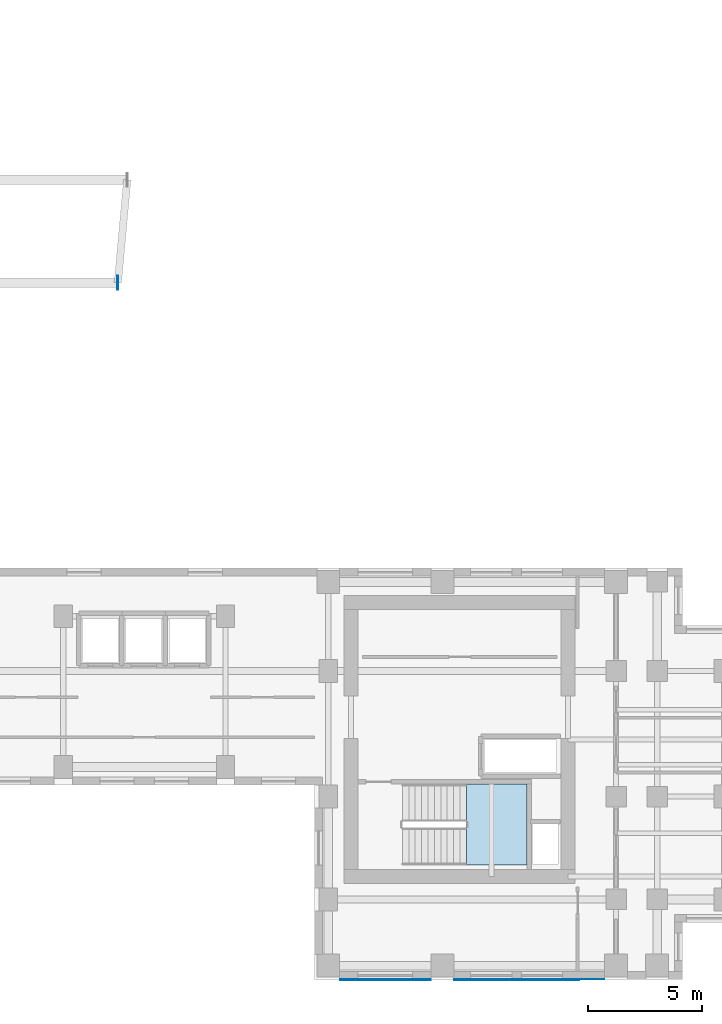
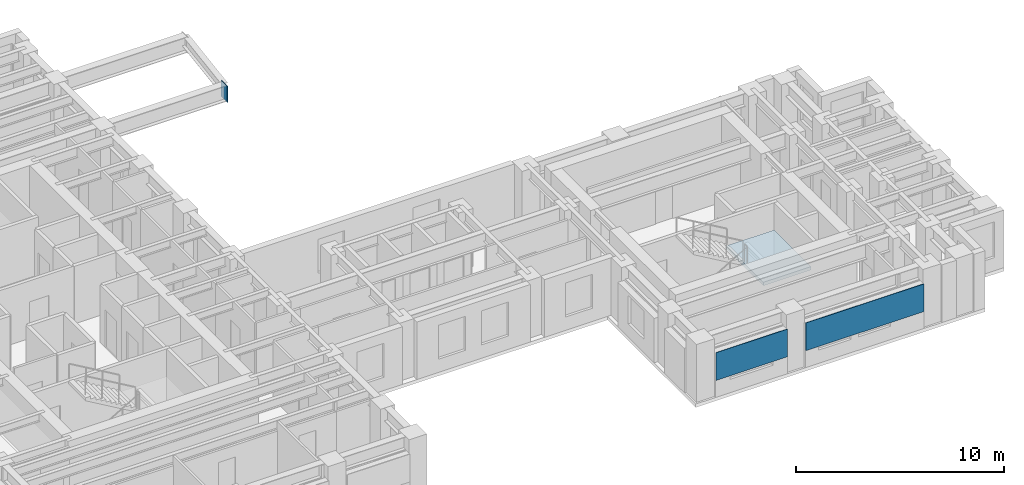
# One storey, part 5 of 14: 3 plates, 1 slab, 1 element without a shape of its own.
"""IFC4 building model written with IfcOpenShell, lengths in metres."""

from ifc_helpers import new_model, si_unit, direction, frame, origin, origin_2d, place, context, subcontext, project, spatial, polyline, rectangle, outline, extrude, source, transform, mapped, material, layer, layer_set, type_object, element, aggregate, save


model = new_model("IFC4")

# Units and contexts
model_context = context("Model", 3, precision=1e-05, world=origin(), true_north=direction((0.0, 1.0)))
body_context = subcontext(model_context, "Body", "Model", "MODEL_VIEW")
ifc_project = project(units=[si_unit("LENGTHUNIT", "METRE"), si_unit("AREAUNIT", "SQUARE_METRE"), si_unit("VOLUMEUNIT", "CUBIC_METRE"), si_unit("PLANEANGLEUNIT", "RADIAN"), si_unit("MASSUNIT", "GRAM", prefix="KILO")], contexts=[model_context])

# Site, building, storey
site_placement = place(None, origin())
site = spatial("IfcSite", under=ifc_project, at=site_placement, CompositionType="ELEMENT")
building_placement = place(site_placement, origin())
building = spatial("IfcBuilding", under=site, at=building_placement, Name="Kharzan Plaza Tower", CompositionType="ELEMENT")
storey_placement = place(building_placement, frame((0.0, 0.0, 168.300048828125)))
storey = spatial("IfcBuildingStorey", under=building, at=storey_placement, Name="L45", CompositionType="ELEMENT", Elevation=168.300048828125)

# Stair, slab
ifc_material_1 = material(Name="Concrete C40/50", Category="concrete")
stair_type = type_object("IfcStairType", Name="STR-ST-3", PredefinedType="HALF_TURN_STAIR", material=ifc_material_1)
stair_placement = place(storey_placement, origin())
stair = element("IfcStair", 1, at=stair_placement, inside=storey, type_object=stair_type, Name="L45 Protected Exit Stair ST-3", PredefinedType="HALF_TURN_STAIR")
ifc_layer_1 = layer(ifc_material_1, 0.219970703125)
ifc_layer_set_1 = layer_set([ifc_layer_1], Name="Concrete C40/50")
slab_type = type_object("IfcSlabType", Name="SL-LANDING-220", PredefinedType="LANDING", material=ifc_layer_set_1)
slab_placement = place(storey_placement, frame((0.0, 0.0, 1.599853515625)))
slab = element("IfcSlab", 2, at=slab_placement, type_object=slab_type, Name="ST-3 landing 1", PredefinedType="LANDING", context=body_context, shape_type="SweptSolid", body=[
    extrude(outline(polyline([(41.050048828125, 5.0), (43.699951171875, 5.0), (43.699951171875, 8.550048828125), (41.050048828125, 8.550048828125), (41.050048828125, 5.0)])), origin(), (0.0, 0.0, 1.0), 0.2001953125),
])
aggregate(stair, [slab])

# Plates
ifc_material_2 = material(Name="Steel S460", Category="steel")
ifc_layer_2 = layer(ifc_material_2, 0.0419921875)
ifc_layer_set_2 = layer_set([ifc_layer_2], Name="Steel S460")
plate_type_1 = type_object("IfcPlateType", Name="PLT-ZTN1", PredefinedType="USERDEFINED", material=ifc_layer_set_2)
shared_shape_1 = source(origin(), body_context, "Body", "SweptSolid", [
    extrude(rectangle(XDim=0.60009765625, YDim=0.0419921875, at=origin_2d()), origin(), (0.0, 0.0, 1.0), 0.949951171875),
])
plate_1_placement = place(storey_placement, frame((25.7900390625, 30.5, 2.44140625), z_axis=(0.0, 0.0, 1.0), x_axis=(0.0, 1.0, 0.0)))
element("IfcPlate", 3, at=plate_1_placement, inside=storey, type_object=plate_type_1, Name="L45 Sky-Terrace Cantilever Tip Plate ZTN1", ObjectType="FLANGE_PLATE", PredefinedType="USERDEFINED", context=body_context, shape_type="MappedRepresentation", body=[
    mapped(shared_shape_1, transform((0.0, 0.0, 0.0), x_axis=(1.0, 0.0, 0.0), y_axis=(0.0, 1.0, 0.0), z_axis=(0.0, 0.0, 1.0))),
])
ifc_material_3 = material(Name="Perforated Bronze-Anodized Aluminium", Category="aluminium")
ifc_layer_3 = layer(ifc_material_3, 0.030029296875)
ifc_layer_set_3 = layer_set([ifc_layer_3], Name="Perforated Bronze-Anodized Aluminium")
plate_type_2 = type_object("IfcPlateType", Name="PLT-MASH-SCREEN", PredefinedType="SHEET", material=ifc_layer_set_3)
shared_shape_2 = source(origin(), body_context, "Body", "SweptSolid", [
    extrude(rectangle(XDim=3.964111328125, YDim=0.030029296875, at=origin_2d()), origin(), (0.0, 0.0, 1.0), 1.632080078125),
])
plate_2_placement = place(storey_placement, frame((37.5, -0.012939453125, 1.013671875), z_axis=(0.0, 0.0, 1.0), x_axis=(1.0, 0.0, 0.0)))
element("IfcPlate", 4, at=plate_2_placement, inside=storey, type_object=plate_type_2, Name="L45 Perforated Mashrabiya Solar Screen", PredefinedType="SHEET", context=body_context, shape_type="MappedRepresentation", body=[
    mapped(shared_shape_2, transform((0.0, 0.0, 0.0), x_axis=(1.0, 0.0, 0.0), y_axis=(0.0, 1.0, 0.0), z_axis=(0.0, 0.0, 1.0))),
])
shared_shape_3 = source(origin(), body_context, "Body", "SweptSolid", [
    extrude(rectangle(XDim=6.56396484375, YDim=0.030029296875, at=origin_2d()), origin(), (0.0, 0.0, 1.0), 1.632080078125),
])
plate_3_placement = place(storey_placement, frame((43.800048828125, -0.012939453125, 1.013671875), z_axis=(0.0, 0.0, 1.0), x_axis=(1.0, 0.0, 0.0)))
element("IfcPlate", 5, at=plate_3_placement, inside=storey, type_object=plate_type_2, Name="L45 Perforated Mashrabiya Solar Screen", PredefinedType="SHEET", context=body_context, shape_type="MappedRepresentation", body=[
    mapped(shared_shape_3, transform((0.0, 0.0, 0.0), x_axis=(1.0, 0.0, 0.0), y_axis=(0.0, 1.0, 0.0), z_axis=(0.0, 0.0, 1.0))),
])

save(model, "model.ifc")
